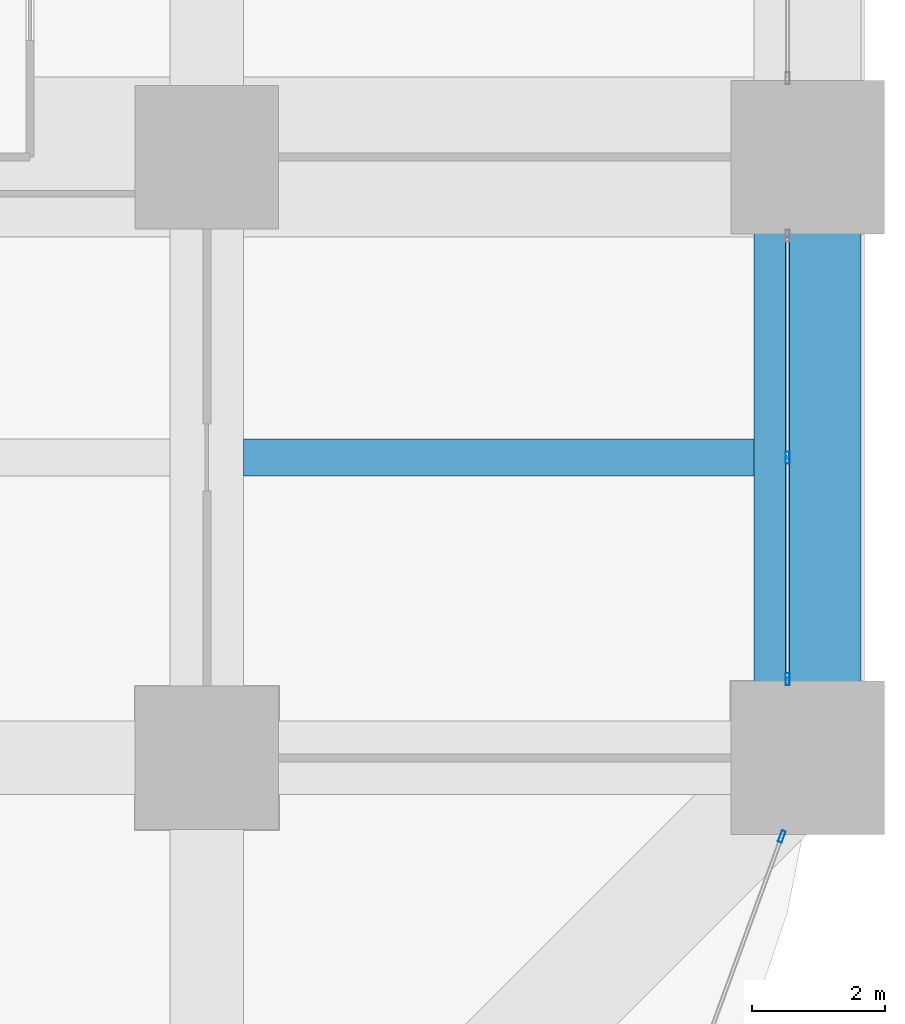
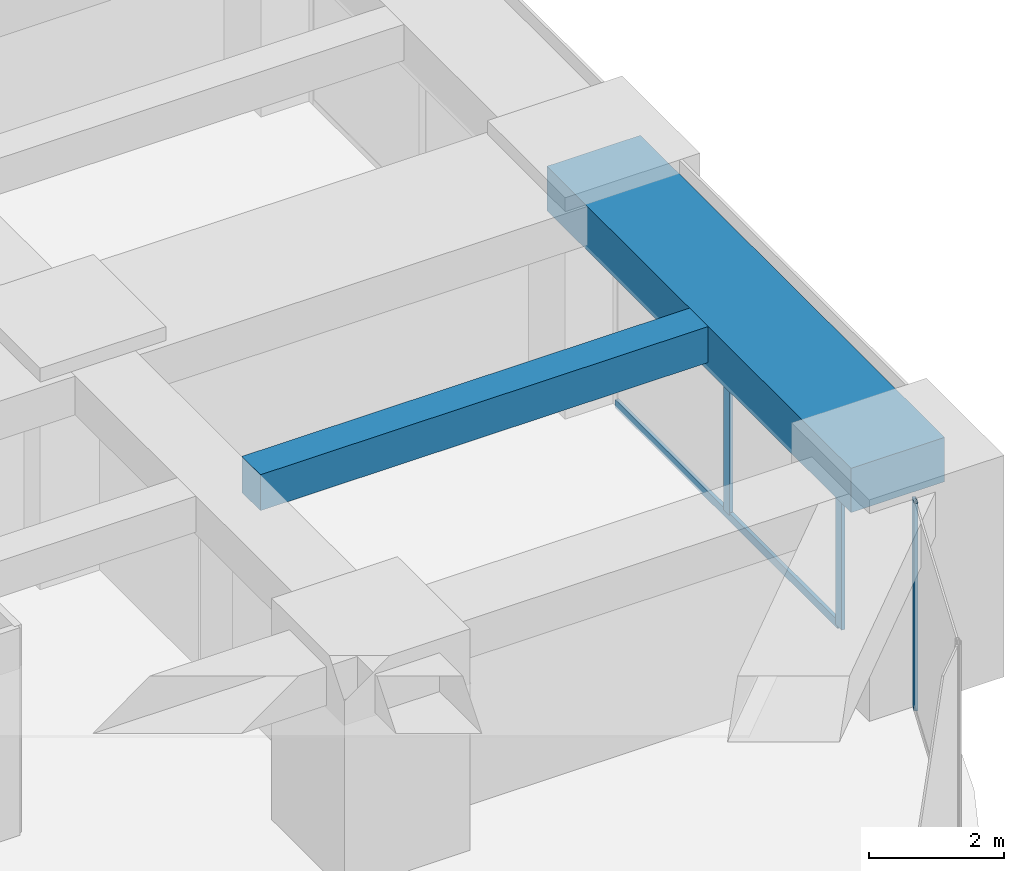
# One storey, part 18 of 44: 4 members, 2 beams, 2 elements without a shape of their own.
"""IFC4 building model written with IfcOpenShell, lengths in metres."""

from ifc_helpers import new_model, si_unit, direction, frame, origin, origin_2d, place, context, subcontext, project, spatial, rectangle, hollow_rectangle, extrude, material, material_profile, profile_set, type_object, element, aggregate, save


model = new_model("IFC4")

# Units and contexts
model_context = context("Model", 3, precision=1e-05, world=origin(), true_north=direction((0.0, 1.0)))
body_context = subcontext(model_context, "Body", "Model", "MODEL_VIEW")
ifc_project = project(units=[si_unit("LENGTHUNIT", "METRE"), si_unit("AREAUNIT", "SQUARE_METRE"), si_unit("VOLUMEUNIT", "CUBIC_METRE"), si_unit("PLANEANGLEUNIT", "RADIAN"), si_unit("MASSUNIT", "GRAM", prefix="KILO")], contexts=[model_context])

# Site, building, storey
site_placement = place(None, origin())
site = spatial("IfcSite", under=ifc_project, at=site_placement, CompositionType="ELEMENT")
building_placement = place(site_placement, origin())
building = spatial("IfcBuilding", under=site, at=building_placement, Name="Zorevar Civic Tower", CompositionType="ELEMENT")
storey_placement = place(building_placement, frame((0.0, 0.0, 63.800048828125)))
storey = spatial("IfcBuildingStorey", under=building, at=storey_placement, Name="L15", CompositionType="ELEMENT", Elevation=63.800048828125)

# Beam
ifc_material_1 = material(Name="Concrete C50/60", Category="concrete")
ifc_material_profile_1 = material_profile(ifc_material_1, rectangle(XDim=0.550048828125, YDim=0.64990234375, at=origin_2d()), Name="RC 550x650")
ifc_profile_set_1 = profile_set([ifc_material_profile_1], Name="Concrete C50/60")
beam_type_1 = type_object("IfcBeamType", Name="Beam RC 550x650", PredefinedType="BEAM", material=ifc_profile_set_1)
beam_1_placement = place(storey_placement, frame((54.550048828125, 13.5, 3.425048828125), z_axis=(1.0, 0.0, 0.0), x_axis=(0.0, 1.0, 0.0)))
element("IfcBeam", 1, at=beam_1_placement, inside=storey, type_object=beam_type_1, Name="Secondary beam L16", PredefinedType="BEAM", context=body_context, shape_type="SweptSolid", body=[
    extrude(rectangle(XDim=0.550048828125, YDim=0.64990234375, at=origin_2d()), origin(), (0.0, 0.0, 1.0), 7.64990234375),
])

# Curtain wall, members
ifc_material_2 = material(Name="Dark grey solar-control glass in black aluminium frame", Category="aluminium")
curtain_wall_type = type_object("IfcCurtainWallType", Name="Curtain wall CW2 low zone", PredefinedType="NOTDEFINED", material=ifc_material_2)
curtain_wall_1_placement = place(storey_placement, origin())
curtain_wall_1 = element("IfcCurtainWall", 2, at=curtain_wall_1_placement, inside=storey, type_object=curtain_wall_type, Name="CW2 L15", PredefinedType="NOTDEFINED")
ifc_material_3 = material(Name="Aluminium, black anodised", Category="aluminium")
ifc_material_profile_2 = material_profile(ifc_material_3, hollow_rectangle(XDim=0.06005859375, YDim=0.179931640625, WallThickness=0.00390625, at=origin_2d()), Name="AL 180x60x4")
ifc_profile_set_2 = profile_set([ifc_material_profile_2], Name="Aluminium, black anodised")
member_type_1 = type_object("IfcMemberType", Name="CW2 mullion AL 180x60x4", PredefinedType="MULLION", material=ifc_profile_set_2)
member_1_placement = place(storey_placement, frame((62.699951171875, 10.179931640625, 0.0), z_axis=(0.0, 0.0, 1.0), x_axis=(-1.0, 0.0, 0.0)))
member_1 = element("IfcMember", 3, at=member_1_placement, type_object=member_type_1, Name="CW2 mullion 1", PredefinedType="MULLION", context=body_context, shape_type="SweptSolid", body=[
    extrude(hollow_rectangle(XDim=0.06005859375, YDim=0.179931640625, WallThickness=0.00390625, at=origin_2d()), origin(), (0.0, 0.0, 1.0), 2.949951171875),
])
member_2_placement = place(storey_placement, frame((62.699951171875, 13.5, 0.06005859375), z_axis=(0.0, 0.0, 1.0), x_axis=(-1.0, 0.0, 0.0)))
member_2 = element("IfcMember", 4, at=member_2_placement, type_object=member_type_1, Name="CW2 mullion 2", PredefinedType="MULLION", context=body_context, shape_type="SweptSolid", body=[
    extrude(hollow_rectangle(XDim=0.06005859375, YDim=0.179931640625, WallThickness=0.00390625, at=origin_2d()), origin(), (0.0, 0.0, 1.0), 2.889892578125),
])

# Curtain wall, member
curtain_wall_2_placement = place(storey_placement, origin())
curtain_wall_2 = element("IfcCurtainWall", 5, at=curtain_wall_2_placement, inside=storey, type_object=curtain_wall_type, Name="CW2 L15", PredefinedType="NOTDEFINED")
member_3_placement = place(storey_placement, frame((62.61328125, 7.82177734375, 0.0), z_axis=(0.0, 0.0, 1.0), x_axis=(-0.939313345732, 0.343060400701, 0.0)))
member_3 = element("IfcMember", 6, at=member_3_placement, type_object=member_type_1, Name="CW2 mullion 2", PredefinedType="MULLION", context=body_context, shape_type="SweptSolid", body=[
    extrude(hollow_rectangle(XDim=0.06005859375, YDim=0.179931640625, WallThickness=0.00390625, at=origin_2d()), origin(), (0.0, 0.0, 1.0), 3.75),
])
aggregate(curtain_wall_2, [member_3])

# Member
ifc_material_4 = material(Name="Aluminium, black anodised", Category="aluminium")
ifc_material_profile_3 = material_profile(ifc_material_4, hollow_rectangle(XDim=0.06005859375, YDim=0.14990234375, WallThickness=0.00390625, at=origin_2d()), Name="AL 150x60x4")
ifc_profile_set_3 = profile_set([ifc_material_profile_3], Name="Aluminium, black anodised")
member_type_2 = type_object("IfcMemberType", Name="CW2 transom AL 150x60x4", PredefinedType="USERDEFINED", material=ifc_profile_set_3)
member_4_placement = place(storey_placement, frame((62.699951171875, 10.2099609375, 0.030029296875), z_axis=(0.0, 1.0, 0.0), x_axis=(-1.0, 0.0, 0.0)))
member_4 = element("IfcMember", 7, at=member_4_placement, type_object=member_type_2, Name="CW2 sill transom", ObjectType="TRANSOM", PredefinedType="USERDEFINED", context=body_context, shape_type="SweptSolid", body=[
    extrude(hollow_rectangle(XDim=0.06005859375, YDim=0.14990234375, WallThickness=0.00390625, at=origin_2d()), origin(), (0.0, 0.0, 1.0), 6.580078125),
])

aggregate(curtain_wall_1, [member_1, member_2, member_4])

# Beam
ifc_material_5 = material(Name="Concrete C50/60", Category="concrete")
ifc_material_profile_4 = material_profile(ifc_material_5, rectangle(XDim=1.60009765625, YDim=0.800048828125, at=origin_2d()), Name="RC 1600x800")
ifc_profile_set_4 = profile_set([ifc_material_profile_4], Name="Concrete C50/60")
beam_type_2 = type_object("IfcBeamType", Name="Edge beam RC 1600x800", PredefinedType="SPANDREL", material=ifc_profile_set_4)
beam_2_placement = place(storey_placement, frame((63.0, 9.0, 3.349853515625), z_axis=(0.0, 1.0, 0.0), x_axis=(-1.0, 0.0, 0.0)))
element("IfcBeam", 8, at=beam_2_placement, inside=storey, type_object=beam_type_2, Name="Edge beam L16", PredefinedType="SPANDREL", context=body_context, shape_type="SweptSolid", body=[
    extrude(rectangle(XDim=1.60009765625, YDim=0.800048828125, at=origin_2d()), origin(), (0.0, 0.0, 1.0), 9.0),
])

save(model, "model.ifc")
